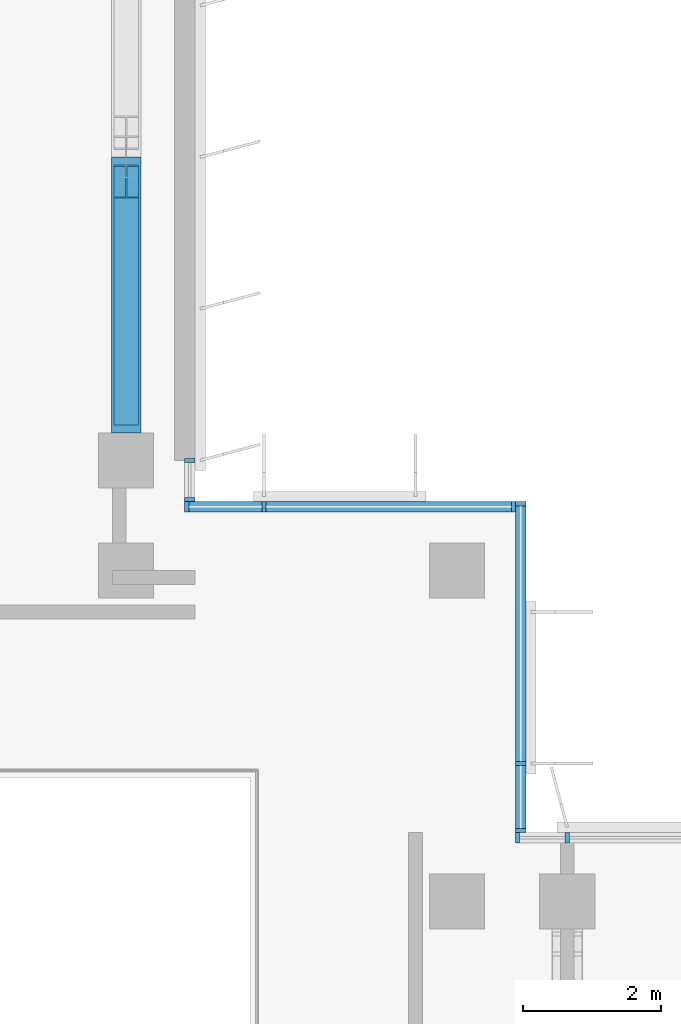
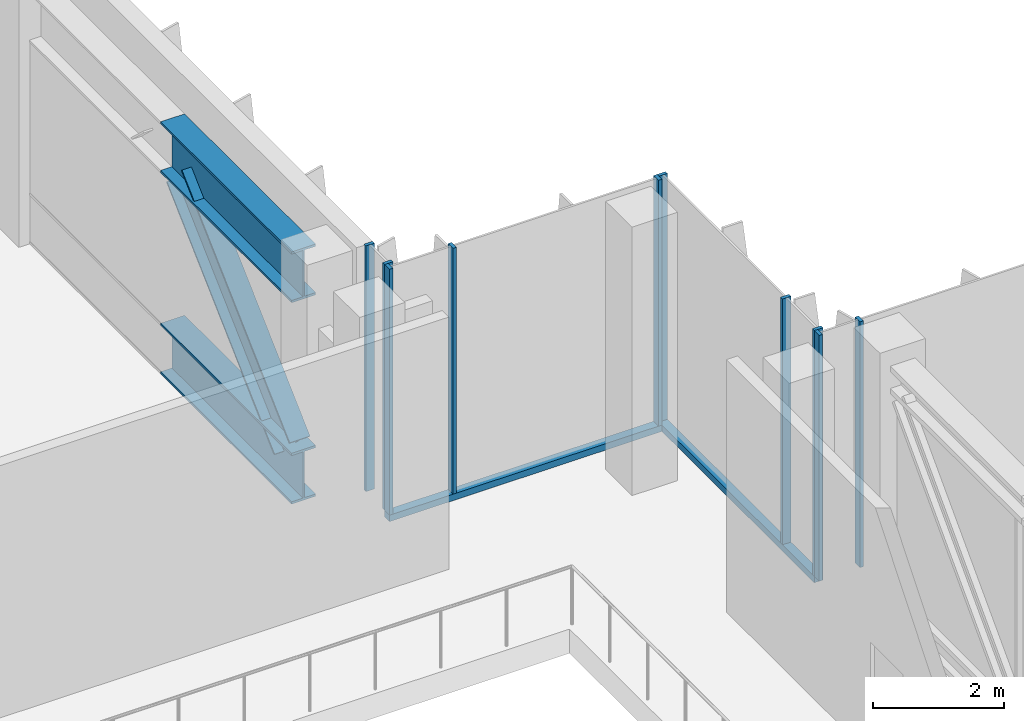
# One storey, part 2 of 13: 13 members, 2 beams, 4 elements without a shape of their own.
"""IFC4 building model written with IfcOpenShell, lengths in metres."""

from ifc_helpers import new_model, si_unit, direction, frame, origin, origin_2d, place, context, subcontext, project, spatial, rectangle, i_section, extrude, source, transform, mapped, material, material_profile, profile_set, type_object, element, aggregate, save


model = new_model("IFC4")

# Units and contexts
model_context = context("Model", 3, precision=1e-05, world=origin(), true_north=direction((0.0, 1.0)))
body_context = subcontext(model_context, "Body", "Model", "MODEL_VIEW")
ifc_project = project(units=[si_unit("LENGTHUNIT", "METRE"), si_unit("AREAUNIT", "SQUARE_METRE"), si_unit("VOLUMEUNIT", "CUBIC_METRE"), si_unit("PLANEANGLEUNIT", "RADIAN"), si_unit("MASSUNIT", "GRAM", prefix="KILO")], contexts=[model_context])

# Site, building, storey
site_placement = place(None, origin())
site = spatial("IfcSite", under=ifc_project, at=site_placement, CompositionType="ELEMENT")
building_placement = place(site_placement, origin())
building = spatial("IfcBuilding", under=site, at=building_placement, Name="Kemantara Hotel Tower", CompositionType="ELEMENT")
storey_placement = place(building_placement, frame((0.0, 0.0, 256.10009765625)))
storey = spatial("IfcBuildingStorey", under=building, at=storey_placement, Name="L64", CompositionType="ELEMENT", Elevation=256.10009765625)

# Beams
ifc_material_1 = material(Name="Steel ASTM A992 Grade 50", Category="steel")
ifc_material_profile_1 = material_profile(ifc_material_1, i_section(OverallWidth=0.424072265625, OverallDepth=0.947021484375, WebThickness=0.02392578125, FlangeThickness=0.042724609375, at=origin_2d()), Name="W920X449")
ifc_profile_set_1 = profile_set([ifc_material_profile_1], Name="Steel ASTM A992 Grade 50")
beam_type = type_object("IfcBeamType", Name="PORTAL LINTEL TRUSS CHORD W920X449", PredefinedType="BEAM", material=ifc_profile_set_1)
for number, where, z_axis, x_axis, name in (
    (1, (21.0, 27.800048828125, 0.473388671875), (0.0, 1.0, 0.0), (-1.0, 0.0, 0.0), "PORTAL LINTEL T4 bottom chord 1"),
    (2, (21.0, 27.800048828125, 4.226318359375), (0.0, 1.0, 0.0), (-1.0, 0.0, 0.0), "PORTAL LINTEL T4 top chord 1"),
):
    element("IfcBeam", number, at=place(storey_placement, frame(where, z_axis=z_axis, x_axis=x_axis)), inside=storey, type_object=beam_type, Name=name, PredefinedType="BEAM", context=body_context, shape_type="SweptSolid", body=[
        extrude(i_section(OverallWidth=0.424072265625, OverallDepth=0.947021484375, WebThickness=0.02392578125, FlangeThickness=0.042724609375, at=origin_2d()), origin(), (0.0, 0.0, 1.0), 4.0),
    ])

# Member
ifc_material_profile_2 = material_profile(ifc_material_1, i_section(OverallWidth=0.35791015625, OverallDepth=0.7060546875, WebThickness=0.018310546875, FlangeThickness=0.0302734375, at=origin_2d()), Name="W690X265")
ifc_profile_set_2 = profile_set([ifc_material_profile_2], Name="Steel ASTM A992 Grade 50")
member_type_1 = type_object("IfcMemberType", Name="PORTAL LINTEL TRUSS DIAGONAL W690X265", PredefinedType="BRACE", material=ifc_profile_set_2)
member_1_placement = place(storey_placement, frame((21.0, 28.154541015625, 0.80615234375), z_axis=(0.0, 0.729282375962, 0.684212844159), x_axis=(-1.0, 0.0, 0.0)))
element("IfcMember", 3, at=member_1_placement, inside=storey, type_object=member_type_1, Name="PORTAL LINTEL T4 diagonal 1", PredefinedType="BRACE", context=body_context, shape_type="SweptSolid", body=[
    extrude(i_section(OverallWidth=0.35791015625, OverallDepth=0.7060546875, WebThickness=0.018310546875, FlangeThickness=0.0302734375, at=origin_2d()), origin(), (0.0, 0.0, 1.0), 4.512451171875),
])

# Curtain wall, member
ifc_material_2 = material(Name="Low-E tinted double insulated glass 36 mm", Category="glass")
curtain_wall_type = type_object("IfcCurtainWallType", Name="TOWER CURTAIN WALL, FRONT FACES", PredefinedType="USERDEFINED", material=ifc_material_2)
curtain_wall_1_placement = place(storey_placement, origin())
curtain_wall_1 = element("IfcCurtainWall", 4, at=curtain_wall_1_placement, inside=storey, type_object=curtain_wall_type, Name="CW4 L64 T4-R13-1", ObjectType="TOWER CURTAIN WALL, FRONT FACES", PredefinedType="USERDEFINED")
ifc_material_3 = material(Name="Aluminium 6063-T6 bronze anodised", Category="aluminium")
ifc_material_profile_3 = material_profile(ifc_material_3, rectangle(XDim=0.14990234375, YDim=0.1201171875, at=origin_2d()), Name="TOWER CURTAIN WALL, FRONT FACES TRANSOM")
ifc_profile_set_3 = profile_set([ifc_material_profile_3], Name="Aluminium 6063-T6 bronze anodised")
member_type_2 = type_object("IfcMemberType", Name="TOWER CURTAIN WALL, FRONT FACES TRANSOM", PredefinedType="USERDEFINED", material=ifc_profile_set_3)
member_2_placement = place(storey_placement, frame((26.72509765625, 22.0, 0.059814453125), z_axis=(0.0, 1.0, 0.0), x_axis=(-1.0, 0.0, 0.0)))
member_2 = element("IfcMember", 5, at=member_2_placement, type_object=member_type_2, Name="CW4 sill transom T4-R13-1", ObjectType="TRANSOM", PredefinedType="USERDEFINED", context=body_context, shape_type="SweptSolid", body=[
    extrude(rectangle(XDim=0.14990234375, YDim=0.1201171875, at=origin_2d()), origin(), (0.0, 0.0, 1.0), 4.800048828125),
])

curtain_wall_2_placement = place(storey_placement, origin())
curtain_wall_2 = element("IfcCurtainWall", 6, at=curtain_wall_2_placement, inside=storey, type_object=curtain_wall_type, Name="CW4 L64 T4-R14-1", ObjectType="TOWER CURTAIN WALL, FRONT FACES", PredefinedType="USERDEFINED")
member_3_placement = place(storey_placement, frame((26.64990234375, 26.72509765625, 0.059814453125), z_axis=(-1.0, 0.0, 0.0), x_axis=(0.0, -1.0, 0.0)))
member_3 = element("IfcMember", 7, at=member_3_placement, type_object=member_type_2, Name="CW4 sill transom T4-R14-1", ObjectType="TRANSOM", PredefinedType="USERDEFINED", context=body_context, shape_type="SweptSolid", body=[
    extrude(rectangle(XDim=0.14990234375, YDim=0.1201171875, at=origin_2d()), origin(), (0.0, 0.0, 1.0), 4.7998046875),
])

# Curtain wall, members
curtain_wall_3_placement = place(storey_placement, origin())
curtain_wall_3 = element("IfcCurtainWall", 8, at=curtain_wall_3_placement, inside=storey, type_object=curtain_wall_type, Name="CW4 L64 T4-R12-1", ObjectType="TOWER CURTAIN WALL, FRONT FACES", PredefinedType="USERDEFINED")
ifc_material_profile_4 = material_profile(ifc_material_3, rectangle(XDim=0.14990234375, YDim=0.06005859375, at=origin_2d()), Name="TOWER CURTAIN WALL, FRONT FACES MULLION")
ifc_profile_set_4 = profile_set([ifc_material_profile_4], Name="Aluminium 6063-T6 bronze anodised")
member_type_3 = type_object("IfcMemberType", Name="TOWER CURTAIN WALL, FRONT FACES MULLION", PredefinedType="MULLION", material=ifc_profile_set_4)
shared_shape = source(origin(), body_context, "Body", "SweptSolid", [
    extrude(rectangle(XDim=0.14990234375, YDim=0.06005859375, at=origin_2d()), origin(), (0.0, 0.0, 1.0), 4.580078125),
])
member_4_placement = place(storey_placement, frame((27.39990234375, 21.925048828125, 0.119873046875), z_axis=(0.0, 0.0, 1.0), x_axis=(0.0, -1.0, 0.0)))
member_4 = element("IfcMember", 9, at=member_4_placement, type_object=member_type_3, Name="CW4 mullion T4-R12-1.5", PredefinedType="MULLION", context=body_context, shape_type="MappedRepresentation", body=[
    mapped(shared_shape, transform((0.0, 0.0, 0.0))),
])
member_5_placement = place(storey_placement, frame((26.679931640625, 21.925048828125, 0.119873046875), z_axis=(0.0, 0.0, 1.0), x_axis=(0.0, -1.0, 0.0)))
member_5 = element("IfcMember", 10, at=member_5_placement, type_object=member_type_3, Name="CW4 mullion T4-R12-1.6", PredefinedType="MULLION", context=body_context, shape_type="MappedRepresentation", body=[
    mapped(shared_shape, transform((0.0, 0.0, 0.0))),
])
aggregate(curtain_wall_3, [member_4, member_5])

# Member
member_6_placement = place(storey_placement, frame((26.72509765625, 22.030029296875, 0.119873046875), z_axis=(0.0, 0.0, 1.0), x_axis=(-1.0, 0.0, 0.0)))
member_6 = element("IfcMember", 11, at=member_6_placement, type_object=member_type_3, Name="CW4 mullion T4-R13-1.1", PredefinedType="MULLION", context=body_context, shape_type="MappedRepresentation", body=[
    mapped(shared_shape, transform((0.0, 0.0, 0.0))),
])

member_7_placement = place(storey_placement, frame((26.72509765625, 23.0, 0.119873046875), z_axis=(0.0, 0.0, 1.0), x_axis=(-1.0, 0.0, 0.0)))
member_7 = element("IfcMember", 12, at=member_7_placement, type_object=member_type_3, Name="CW4 mullion T4-R13-1.2", PredefinedType="MULLION", context=body_context, shape_type="MappedRepresentation", body=[
    mapped(shared_shape, transform((0.0, 0.0, 0.0))),
])

member_8_placement = place(storey_placement, frame((26.72509765625, 26.77001953125, 0.119873046875), z_axis=(0.0, 0.0, 1.0), x_axis=(-1.0, 0.0, 0.0)))
member_8 = element("IfcMember", 13, at=member_8_placement, type_object=member_type_3, Name="CW4 mullion T4-R13-1.3", PredefinedType="MULLION", context=body_context, shape_type="MappedRepresentation", body=[
    mapped(shared_shape, transform((0.0, 0.0, 0.0))),
])

aggregate(curtain_wall_1, [member_2, member_6, member_7, member_8])

member_9_placement = place(storey_placement, frame((26.6201171875, 26.72509765625, 0.119873046875), z_axis=(0.0, 0.0, 1.0), x_axis=(0.0, -1.0, 0.0)))
member_9 = element("IfcMember", 14, at=member_9_placement, type_object=member_type_3, Name="CW4 mullion T4-R14-1.1", PredefinedType="MULLION", context=body_context, shape_type="MappedRepresentation", body=[
    mapped(shared_shape, transform((0.0, 0.0, 0.0))),
])

member_10_placement = place(storey_placement, frame((23.0, 26.72509765625, 0.119873046875), z_axis=(0.0, 0.0, 1.0), x_axis=(0.0, -1.0, 0.0)))
member_10 = element("IfcMember", 15, at=member_10_placement, type_object=member_type_3, Name="CW4 mullion T4-R14-1.2", PredefinedType="MULLION", context=body_context, shape_type="MappedRepresentation", body=[
    mapped(shared_shape, transform((0.0, 0.0, 0.0))),
])

member_11_placement = place(storey_placement, frame((21.8798828125, 26.72509765625, 0.119873046875), z_axis=(0.0, 0.0, 1.0), x_axis=(0.0, -1.0, 0.0)))
member_11 = element("IfcMember", 16, at=member_11_placement, type_object=member_type_3, Name="CW4 mullion T4-R14-1.3", PredefinedType="MULLION", context=body_context, shape_type="MappedRepresentation", body=[
    mapped(shared_shape, transform((0.0, 0.0, 0.0))),
])

aggregate(curtain_wall_2, [member_3, member_9, member_10, member_11])

# Curtain wall, members
curtain_wall_4_placement = place(storey_placement, origin())
curtain_wall_4 = element("IfcCurtainWall", 17, at=curtain_wall_4_placement, inside=storey, type_object=curtain_wall_type, Name="CW4 L64 T4-R15-1", ObjectType="TOWER CURTAIN WALL, FRONT FACES", PredefinedType="USERDEFINED")
member_12_placement = place(storey_placement, frame((21.925048828125, 26.830078125, 0.119873046875), z_axis=(0.0, 0.0, 1.0), x_axis=(-1.0, 0.0, 0.0)))
member_12 = element("IfcMember", 18, at=member_12_placement, type_object=member_type_3, Name="CW4 mullion T4-R15-1.1", PredefinedType="MULLION", context=body_context, shape_type="MappedRepresentation", body=[
    mapped(shared_shape, transform((0.0, 0.0, 0.0))),
])
member_13_placement = place(storey_placement, frame((21.925048828125, 27.39990234375, 0.119873046875), z_axis=(0.0, 0.0, 1.0), x_axis=(-1.0, 0.0, 0.0)))
member_13 = element("IfcMember", 19, at=member_13_placement, type_object=member_type_3, Name="CW4 mullion T4-R15-1.2", PredefinedType="MULLION", context=body_context, shape_type="MappedRepresentation", body=[
    mapped(shared_shape, transform((0.0, 0.0, 0.0))),
])
aggregate(curtain_wall_4, [member_12, member_13])

save(model, "model.ifc")
